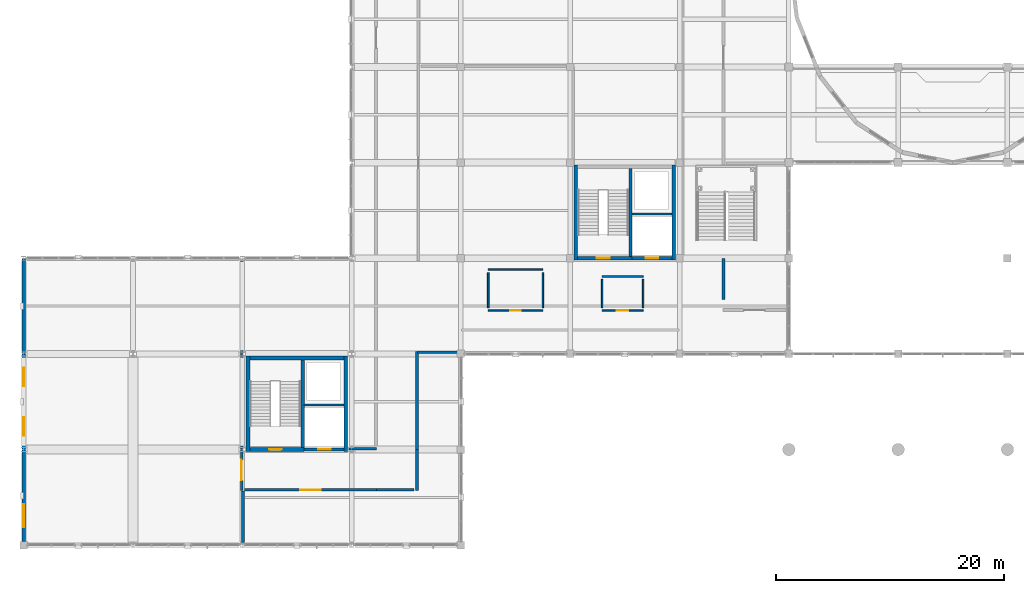
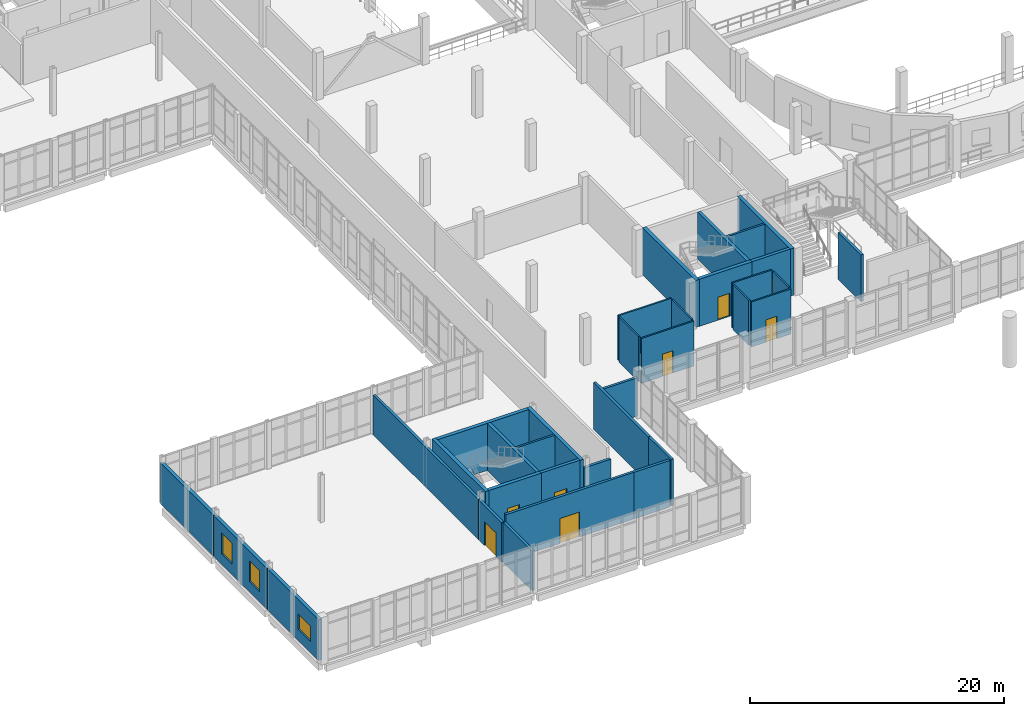
# One storey, part 87 of 102: 34 walls, 8 doors, 3 windows, 11 openings.
"""IFC4 building model written with IfcOpenShell, lengths in metres."""

from ifc_helpers import new_model, si_unit, direction, frame, frame_2d, origin, place, context, subcontext, project, spatial, rectangle, extrude, material, layer, layer_set, type_object, element, fill, save


model = new_model("IFC4")

# Units and contexts
model_context = context("Model", 3, precision=1e-05, world=origin(), true_north=direction((0.0, 1.0)))
body_context = subcontext(model_context, "Body", "Model", "MODEL_VIEW")
ifc_project = project(units=[si_unit("LENGTHUNIT", "METRE"), si_unit("AREAUNIT", "SQUARE_METRE"), si_unit("VOLUMEUNIT", "CUBIC_METRE"), si_unit("PLANEANGLEUNIT", "RADIAN"), si_unit("MASSUNIT", "GRAM", prefix="KILO")], contexts=[model_context])

# Site, building, storey
site_placement = place(None, origin())
site = spatial("IfcSite", under=ifc_project, at=site_placement, CompositionType="ELEMENT")
building_placement = place(site_placement, origin())
building = spatial("IfcBuilding", under=site, at=building_placement, Name="Lornevale Opera House", CompositionType="ELEMENT")
storey_placement = place(building_placement, frame((0.0, 0.0, 5.39990234375)))
storey = spatial("IfcBuildingStorey", under=building, at=storey_placement, Name="L02", CompositionType="ELEMENT", Elevation=5.39990234375)

# Wall, opening, door
ifc_material_1 = material(Name="Concrete 40 MPa (CSA A23.1 C-1)", Category="concrete")
ifc_layer_1 = layer(ifc_material_1, 0.320068359375)
ifc_layer_set_1 = layer_set([ifc_layer_1], Name="Concrete 40 MPa (CSA A23.1 C-1)")
wall_type_1 = type_object("IfcWallType", Name="Core Shear Wall 320", PredefinedType="SHEAR", material=ifc_layer_set_1)
wall_1_placement = place(storey_placement, frame((48.659912109375, 25.199951171875, 0.0), z_axis=(0.0, 0.0, 1.0), x_axis=(1.0, 0.0, 0.0)))
wall_1 = element("IfcWall", 1, at=wall_1_placement, inside=storey, type_object=wall_type_1, Name="South-West Foyer Core Core Shear Wall 320 WL-COR-0022", PredefinedType="SHEAR", context=body_context, shape_type="SweptSolid", body=[
    extrude(rectangle(XDim=4.780029296875, YDim=0.320068359375, at=frame_2d((2.39013671875, 0.0))), origin(), (0.0, 0.0, 1.0), 4.52001953125),
])
opening_1_placement = place(wall_1_placement, frame((1.68994140625, 0.0, 0.0)))
opening_1 = element("IfcOpeningElement", 2, at=opening_1_placement, cuts=wall_1, Name="Opening DR-T10", PredefinedType="OPENING", context=body_context, shape_type="SweptSolid", body=[
    extrude(rectangle(XDim=1.10009765625, YDim=2.199951171875, at=frame_2d((0.550048828125, 1.10009765625))), frame((0.0, 0.169921875, 0.0), z_axis=(0.0, -1.0, 0.0), x_axis=(1.0, 0.0, 0.0)), (0.0, 0.0, 1.0), 0.340087890625),
])
ifc_material_2 = material(Name="Painted Hollow Metal Door Steel", Category="steel")
ifc_layer_2 = layer(ifc_material_2, 2.199951171875)
ifc_layer_set_2 = layer_set([ifc_layer_2], Name="Painted Hollow Metal Door Steel")
door_type_1 = type_object("IfcDoorType", Name="Protected Exit Stair Door L 1100x2200", OperationType="NOTDEFINED", PredefinedType="DOOR", material=ifc_layer_set_2)
door_1_placement = place(opening_1_placement, origin())
door_1 = element("IfcDoor", 3, at=door_1_placement, inside=storey, type_object=door_type_1, Name="C1 Stair Door L02", OperationType="SINGLE_SWING_LEFT", OverallHeight=2.199951171875, OverallWidth=1.10009765625, PredefinedType="DOOR", context=body_context, shape_type="SweptSolid", body=[
    extrude(rectangle(XDim=1.10009765625, YDim=2.199951171875, at=frame_2d((0.550048828125, 1.10009765625))), frame((0.0, 0.02490234375, 0.0), z_axis=(0.0, -1.0, 0.0), x_axis=(1.0, 0.0, 0.0)), (0.0, 0.0, 1.0), 0.050048828125),
])
fill(opening_1, door_1)

# Walls
for number, where, z_axis, x_axis, name in (
    (4, (48.5, 33.39990234375, 0.0), (0.0, 0.0, 1.0), (0.0, -1.0, 0.0), "South-West Foyer Core Core Shear Wall 320 WL-COR-0025"),
    (5, (57.10009765625, 25.0400390625, 0.0), (0.0, 0.0, 1.0), (0.0, 1.0, 0.0), "South-West Foyer Core Core Shear Wall 320 WL-COR-0026"),
):
    element("IfcWall", number, at=place(storey_placement, frame(where, z_axis=z_axis, x_axis=x_axis)), inside=storey, type_object=wall_type_1, Name=name, PredefinedType="SHEAR", context=body_context, shape_type="SweptSolid", body=[
        extrude(rectangle(XDim=8.35986328125, YDim=0.320068359375, at=frame_2d((4.179931640625, 0.0))), origin(), (0.0, 0.0, 1.0), 4.52001953125),
    ])

# Wall, opening, door
wall_2_placement = place(storey_placement, frame((19.860107421875, 8.39990234375, 0.0), z_axis=(0.0, 0.0, 1.0), x_axis=(1.0, 0.0, 0.0)))
wall_2 = element("IfcWall", 6, at=wall_2_placement, inside=storey, type_object=wall_type_1, Name="Chamber Pavilion Core Core Shear Wall 320 WL-COR-0099", PredefinedType="SHEAR", context=body_context, shape_type="SweptSolid", body=[
    extrude(rectangle(XDim=4.77978515625, YDim=0.320068359375, at=frame_2d((2.389892578125, 0.0))), origin(), (0.0, 0.0, 1.0), 4.52001953125),
])
opening_2_placement = place(wall_2_placement, frame((1.68994140625, 0.0, 0.0)))
opening_2 = element("IfcOpeningElement", 7, at=opening_2_placement, cuts=wall_2, Name="Opening DR-T10", PredefinedType="OPENING", context=body_context, shape_type="SweptSolid", body=[
    extrude(rectangle(XDim=1.10009765625, YDim=2.199951171875, at=frame_2d((0.550048828125, 1.10009765625))), frame((0.0, 0.169921875, 0.0), z_axis=(0.0, -1.0, 0.0), x_axis=(1.0, 0.0, 0.0)), (0.0, 0.0, 1.0), 0.340087890625),
])
door_2_placement = place(opening_2_placement, origin())
door_2 = element("IfcDoor", 8, at=door_2_placement, inside=storey, type_object=door_type_1, Name="C3 Stair Door L02", OperationType="SINGLE_SWING_LEFT", OverallHeight=2.199951171875, OverallWidth=1.10009765625, PredefinedType="DOOR", context=body_context, shape_type="SweptSolid", body=[
    extrude(rectangle(XDim=1.10009765625, YDim=2.199951171875, at=frame_2d((0.550048828125, 1.10009765625))), frame((0.0, 0.02490234375, 0.0), z_axis=(0.0, -1.0, 0.0), x_axis=(1.0, 0.0, 0.0)), (0.0, 0.0, 1.0), 0.050048828125),
])
fill(opening_2, door_2)

# Walls
wall_3_placement = place(storey_placement, frame((28.139892578125, 16.43994140625, 0.0), z_axis=(0.0, 0.0, 1.0), x_axis=(-1.0, 0.0, 0.0)))
element("IfcWall", 9, at=wall_3_placement, inside=storey, type_object=wall_type_1, Name="Chamber Pavilion Core Core Shear Wall 320 WL-COR-0101", PredefinedType="SHEAR", context=body_context, shape_type="SweptSolid", body=[
    extrude(rectangle(XDim=8.27978515625, YDim=0.320068359375, at=frame_2d((4.139892578125, 0.0))), origin(), (0.0, 0.0, 1.0), 4.52001953125),
])
for number, where, z_axis, x_axis, name in (
    (10, (19.699951171875, 16.60009765625, 0.0), (0.0, 0.0, 1.0), (0.0, -1.0, 0.0), "Chamber Pavilion Core Core Shear Wall 320 WL-COR-0102"),
    (11, (28.300048828125, 8.239990234375, 0.0), (0.0, 0.0, 1.0), (0.0, 1.0, 0.0), "Chamber Pavilion Core Core Shear Wall 320 WL-COR-0103"),
):
    element("IfcWall", number, at=place(storey_placement, frame(where, z_axis=z_axis, x_axis=x_axis)), inside=storey, type_object=wall_type_1, Name=name, PredefinedType="SHEAR", context=body_context, shape_type="SweptSolid", body=[
        extrude(rectangle(XDim=8.360107421875, YDim=0.320068359375, at=frame_2d((4.18017578125, 0.0))), origin(), (0.0, 0.0, 1.0), 4.52001953125),
    ])

# Wall, opening, door
ifc_layer_3 = layer(ifc_material_1, 0.280029296875)
ifc_layer_set_3 = layer_set([ifc_layer_3], Name="Concrete 40 MPa (CSA A23.1 C-1)")
wall_type_2 = type_object("IfcWallType", Name="Elevator Shaft Wall 280", PredefinedType="SHEAR", material=ifc_layer_set_3)
wall_4_placement = place(storey_placement, frame((53.43994140625, 25.199951171875, 0.0), z_axis=(0.0, 0.0, 1.0), x_axis=(1.0, 0.0, 0.0)))
wall_4 = element("IfcWall", 12, at=wall_4_placement, inside=storey, type_object=wall_type_2, Name="South-West Foyer Core Elevator Shaft Wall 280 WL-COR-0023", PredefinedType="SHEAR", context=body_context, shape_type="SweptSolid", body=[
    extrude(rectangle(XDim=3.5, YDim=0.280029296875, at=frame_2d((1.75, 0.0))), origin(), (0.0, 0.0, 1.0), 4.52001953125),
])
opening_3_placement = place(wall_4_placement, frame((1.2099609375, 0.0, 0.0)))
opening_3 = element("IfcOpeningElement", 13, at=opening_3_placement, cuts=wall_4, Name="Opening DR-T25", PredefinedType="OPENING", context=body_context, shape_type="SweptSolid", body=[
    extrude(rectangle(XDim=1.10009765625, YDim=2.199951171875, at=frame_2d((0.550048828125, 1.10009765625))), frame((0.0, 0.14990234375, 0.0), z_axis=(0.0, -1.0, 0.0), x_axis=(1.0, 0.0, 0.0)), (0.0, 0.0, 1.0), 0.300048828125),
])
ifc_layer_4 = layer(ifc_material_2, 2.199951171875)
ifc_layer_set_4 = layer_set([ifc_layer_4], Name="Painted Hollow Metal Door Steel")
door_type_2 = type_object("IfcDoorType", Name="Passenger Lift Landing Door 1100x2200", OperationType="NOTDEFINED", PredefinedType="DOOR", material=ifc_layer_set_4)
door_3_placement = place(opening_3_placement, origin())
door_3 = element("IfcDoor", 14, at=door_3_placement, inside=storey, type_object=door_type_2, Name="L-P1 Landing Door L02", OperationType="SLIDING_TO_LEFT", OverallHeight=2.199951171875, OverallWidth=1.10009765625, PredefinedType="DOOR", context=body_context, shape_type="SweptSolid", body=[
    extrude(rectangle(XDim=1.10009765625, YDim=2.199951171875, at=frame_2d((0.550048828125, 1.10009765625))), frame((0.0, 0.02490234375, 0.0), z_axis=(0.0, -1.0, 0.0), x_axis=(1.0, 0.0, 0.0)), (0.0, 0.0, 1.0), 0.050048828125),
])
fill(opening_3, door_3)

# Wall
wall_5_placement = place(storey_placement, frame((53.300048828125, 25.360107421875, 0.0), z_axis=(0.0, 0.0, 1.0), x_axis=(0.0, 1.0, 0.0)))
element("IfcWall", 15, at=wall_5_placement, inside=storey, type_object=wall_type_2, Name="South-West Foyer Core Elevator Shaft Wall 280 WL-COR-0027", PredefinedType="SHEAR", context=body_context, shape_type="SweptSolid", body=[
    extrude(rectangle(XDim=7.719970703125, YDim=0.280029296875, at=frame_2d((3.85986328125, 0.0))), origin(), (0.0, 0.0, 1.0), 4.52001953125),
])

# Wall, opening, door
wall_6_placement = place(storey_placement, frame((24.639892578125, 8.39990234375, 0.0), z_axis=(0.0, 0.0, 1.0), x_axis=(1.0, 0.0, 0.0)))
wall_6 = element("IfcWall", 16, at=wall_6_placement, inside=storey, type_object=wall_type_2, Name="Chamber Pavilion Core Elevator Shaft Wall 280 WL-COR-0100", PredefinedType="SHEAR", context=body_context, shape_type="SweptSolid", body=[
    extrude(rectangle(XDim=3.5, YDim=0.280029296875, at=frame_2d((1.75, 0.0))), origin(), (0.0, 0.0, 1.0), 4.52001953125),
])
opening_4_placement = place(wall_6_placement, frame((1.2099609375, 0.0, 0.0)))
opening_4 = element("IfcOpeningElement", 17, at=opening_4_placement, cuts=wall_6, Name="Opening DR-T25", PredefinedType="OPENING", context=body_context, shape_type="SweptSolid", body=[
    extrude(rectangle(XDim=1.10009765625, YDim=2.199951171875, at=frame_2d((0.550048828125, 1.10009765625))), frame((0.0, 0.14990234375, 0.0), z_axis=(0.0, -1.0, 0.0), x_axis=(1.0, 0.0, 0.0)), (0.0, 0.0, 1.0), 0.300048828125),
])
door_4_placement = place(opening_4_placement, origin())
door_4 = element("IfcDoor", 18, at=door_4_placement, inside=storey, type_object=door_type_2, Name="L-P3 Landing Door L02", OperationType="SLIDING_TO_LEFT", OverallHeight=2.199951171875, OverallWidth=1.10009765625, PredefinedType="DOOR", context=body_context, shape_type="SweptSolid", body=[
    extrude(rectangle(XDim=1.10009765625, YDim=2.199951171875, at=frame_2d((0.550048828125, 1.10009765625))), frame((0.0, 0.02490234375, 0.0), z_axis=(0.0, -1.0, 0.0), x_axis=(1.0, 0.0, 0.0)), (0.0, 0.0, 1.0), 0.050048828125),
])
fill(opening_4, door_4)

# Wall
wall_7_placement = place(storey_placement, frame((24.5, 8.56005859375, 0.0), z_axis=(0.0, 0.0, 1.0), x_axis=(0.0, 1.0, 0.0)))
element("IfcWall", 19, at=wall_7_placement, inside=storey, type_object=wall_type_2, Name="Chamber Pavilion Core Elevator Shaft Wall 280 WL-COR-0104", PredefinedType="SHEAR", context=body_context, shape_type="SweptSolid", body=[
    extrude(rectangle(XDim=7.719970703125, YDim=0.280029296875, at=frame_2d((3.85986328125, 0.0))), origin(), (0.0, 0.0, 1.0), 4.52001953125),
])

# Wall, opening, window
ifc_material_3 = material(Name="Queenston Buff Limestone Ashlar Masonry (25 MPa)", Category="masonry")
ifc_layer_5 = layer(ifc_material_3, 0.31005859375)
ifc_layer_set_5 = layer_set([ifc_layer_5], Name="Queenston Buff Limestone Ashlar Masonry (25 MPa)")
wall_type_3 = type_object("IfcWallType", Name="Rehearsal Pavilion Limestone Wall 310", PredefinedType="SOLIDWALL", material=ifc_layer_set_5)
wall_8_placement = place(storey_placement, frame((0.0, 0.324951171875, 0.0), z_axis=(0.0, 0.0, 1.0), x_axis=(0.0, 1.0, 0.0)))
wall_8 = element("IfcWall", 20, at=wall_8_placement, inside=storey, type_object=wall_type_3, Name="Rehearsal Pavilion Limestone Wall 310 WL-EXT-0191", PredefinedType="SOLIDWALL", context=body_context, shape_type="SweptSolid", body=[
    extrude(rectangle(XDim=8.054931640625, YDim=0.31005859375, at=frame_2d((4.02734375, 0.0))), origin(), (0.0, 0.0, 1.0), 3.920166015625),
])
opening_5_placement = place(wall_8_placement, frame((1.2548828125, 0.0, 1.050048828125)))
opening_5 = element("IfcOpeningElement", 21, at=opening_5_placement, cuts=wall_8, Name="Opening WN-T11", PredefinedType="OPENING", context=body_context, shape_type="SweptSolid", body=[
    extrude(rectangle(XDim=2.0, YDim=1.5, at=frame_2d((1.0, 0.75))), frame((0.0, 0.1650390625, 0.0), z_axis=(0.0, -1.0, 0.0), x_axis=(1.0, 0.0, 0.0)), (0.0, 0.0, 1.0), 0.330078125),
])
ifc_material_4 = material(Name="Triple Low-E Insulated Glazing", Category="glass")
ifc_layer_6 = layer(ifc_material_4, 0.06005859375)
ifc_layer_set_6 = layer_set([ifc_layer_6], Name="Triple Low-E Insulated Glazing")
window_type_1 = type_object("IfcWindowType", Name="Workshop Operable Window 2000x1500", PartitioningType="NOTDEFINED", PredefinedType="WINDOW", material=ifc_layer_set_6)
window_1_placement = place(opening_5_placement, origin())
window_1 = element("IfcWindow", 22, at=window_1_placement, inside=storey, type_object=window_type_1, Name="Workshop Operable Window 2000x1500 WN-0036", OverallHeight=1.5, OverallWidth=2.0, PartitioningType="SINGLE_PANEL", PredefinedType="WINDOW", context=body_context, shape_type="SweptSolid", body=[
    extrude(rectangle(XDim=2.0, YDim=1.5, at=frame_2d((1.0, 0.75))), frame((0.0, 0.030029296875, 0.0), z_axis=(0.0, -1.0, 0.0), x_axis=(1.0, 0.0, 0.0)), (0.0, 0.0, 1.0), 0.06005859375),
])
fill(opening_5, window_1)

# Wall, openings, windows
wall_9_placement = place(storey_placement, frame((0.0, 8.419921875, 0.0), z_axis=(0.0, 0.0, 1.0), x_axis=(0.0, 1.0, 0.0)))
wall_9 = element("IfcWall", 23, at=wall_9_placement, inside=storey, type_object=wall_type_3, Name="Rehearsal Pavilion Limestone Wall 310 WL-EXT-0192", PredefinedType="SOLIDWALL", context=body_context, shape_type="SweptSolid", body=[
    extrude(rectangle(XDim=8.360107421875, YDim=0.31005859375, at=frame_2d((4.18017578125, 0.0))), origin(), (0.0, 0.0, 1.0), 3.920166015625),
])
opening_6_placement = place(wall_9_placement, frame((1.2060546875, 0.0, 0.989990234375)))
opening_6 = element("IfcOpeningElement", 24, at=opening_6_placement, cuts=wall_9, Name="Opening WN-T07", PredefinedType="OPENING", context=body_context, shape_type="SweptSolid", body=[
    extrude(rectangle(XDim=1.60009765625, YDim=2.0, at=frame_2d((0.800048828125, 1.0))), frame((0.0, 0.1650390625, 0.0), z_axis=(0.0, -1.0, 0.0), x_axis=(1.0, 0.0, 0.0)), (0.0, 0.0, 1.0), 0.330078125),
])
opening_7_placement = place(wall_9_placement, frame((5.553955078125, 0.0, 0.989990234375)))
opening_7 = element("IfcOpeningElement", 25, at=opening_7_placement, cuts=wall_9, Name="Opening WN-T07", PredefinedType="OPENING", context=body_context, shape_type="SweptSolid", body=[
    extrude(rectangle(XDim=1.60009765625, YDim=2.0, at=frame_2d((0.800048828125, 1.0))), frame((0.0, 0.1650390625, 0.0), z_axis=(0.0, -1.0, 0.0), x_axis=(1.0, 0.0, 0.0)), (0.0, 0.0, 1.0), 0.330078125),
])
ifc_layer_7 = layer(ifc_material_4, 0.06005859375)
ifc_layer_set_7 = layer_set([ifc_layer_7], Name="Triple Low-E Insulated Glazing")
window_type_2 = type_object("IfcWindowType", Name="Practice Studio Acoustic Window 1600x2000", PartitioningType="NOTDEFINED", PredefinedType="WINDOW", material=ifc_layer_set_7)
window_2_placement = place(opening_6_placement, origin())
window_2 = element("IfcWindow", 26, at=window_2_placement, inside=storey, type_object=window_type_2, Name="Practice Studio Acoustic Window 1600x2000 WN-0037", OverallHeight=2.0, OverallWidth=1.60009765625, PartitioningType="SINGLE_PANEL", PredefinedType="WINDOW", context=body_context, shape_type="SweptSolid", body=[
    extrude(rectangle(XDim=1.60009765625, YDim=2.0, at=frame_2d((0.800048828125, 1.0))), frame((0.0, 0.030029296875, 0.0), z_axis=(0.0, -1.0, 0.0), x_axis=(1.0, 0.0, 0.0)), (0.0, 0.0, 1.0), 0.06005859375),
])
fill(opening_6, window_2)
window_3_placement = place(opening_7_placement, origin())
window_3 = element("IfcWindow", 27, at=window_3_placement, inside=storey, type_object=window_type_2, Name="Practice Studio Acoustic Window 1600x2000 WN-0038", OverallHeight=2.0, OverallWidth=1.60009765625, PartitioningType="SINGLE_PANEL", PredefinedType="WINDOW", context=body_context, shape_type="SweptSolid", body=[
    extrude(rectangle(XDim=1.60009765625, YDim=2.0, at=frame_2d((0.800048828125, 1.0))), frame((0.0, 0.030029296875, 0.0), z_axis=(0.0, -1.0, 0.0), x_axis=(1.0, 0.0, 0.0)), (0.0, 0.0, 1.0), 0.06005859375),
])
fill(opening_7, window_3)

# Wall
wall_10_placement = place(storey_placement, frame((0.0, 16.820068359375, 0.0), z_axis=(0.0, 0.0, 1.0), x_axis=(0.0, 1.0, 0.0)))
element("IfcWall", 28, at=wall_10_placement, inside=storey, type_object=wall_type_3, Name="Rehearsal Pavilion Limestone Wall 310 WL-EXT-0193", PredefinedType="SOLIDWALL", context=body_context, shape_type="SweptSolid", body=[
    extrude(rectangle(XDim=8.35986328125, YDim=0.31005859375, at=frame_2d((4.179931640625, 0.0))), origin(), (0.0, 0.0, 1.0), 3.920166015625),
])

# Wall, opening, door
ifc_material_5 = material(Name="Acoustic Mineral-Core Gypsum Partition", Category="gypsum")
ifc_layer_8 = layer(ifc_material_5, 0.22998046875)
ifc_layer_set_8 = layer_set([ifc_layer_8], Name="Acoustic Mineral-Core Gypsum Partition")
wall_type_4 = type_object("IfcWallType", Name="Rehearsal Studio Acoustic Wall 230", PredefinedType="SOLIDWALL", material=ifc_layer_set_8)
wall_11_placement = place(storey_placement, frame((19.139892578125, 4.800048828125, 0.0), z_axis=(0.0, 0.0, 1.0), x_axis=(0.0, 1.0, 0.0)))
wall_11 = element("IfcWall", 29, at=wall_11_placement, inside=storey, type_object=wall_type_4, Name="L02 Partition WL-INT-0751", PredefinedType="SOLIDWALL", context=body_context, shape_type="SweptSolid", body=[
    extrude(rectangle(XDim=3.599853515625, YDim=0.22998046875, at=frame_2d((1.7998046875, 0.0))), origin(), (0.0, 0.0, 1.0), 3.820068359375),
])
opening_8_placement = place(wall_11_placement, frame((0.89990234375, 0.0, 0.0)))
opening_8 = element("IfcOpeningElement", 30, at=opening_8_placement, cuts=wall_11, Name="Opening DR-T15", PredefinedType="OPENING", context=body_context, shape_type="SweptSolid", body=[
    extrude(rectangle(XDim=1.800048828125, YDim=2.300048828125, at=frame_2d((0.89990234375, 1.14990234375))), frame((0.0, 0.125, 0.0), z_axis=(0.0, -1.0, 0.0), x_axis=(1.0, 0.0, 0.0)), (0.0, 0.0, 1.0), 0.25),
])
ifc_material_6 = material(Name="White Oak Acoustic Panelling", Category="wood")
ifc_layer_9 = layer(ifc_material_6, 2.300048828125)
ifc_layer_set_9 = layer_set([ifc_layer_9], Name="White Oak Acoustic Panelling")
door_type_3 = type_object("IfcDoorType", Name="Chamber Hall Acoustic Pair 1800x2300", OperationType="NOTDEFINED", PredefinedType="DOOR", material=ifc_layer_set_9)
door_5_placement = place(opening_8_placement, origin())
door_5 = element("IfcDoor", 31, at=door_5_placement, inside=storey, type_object=door_type_3, Name="Chamber Hall Balcony Gallery Door", OperationType="DOUBLE_SWING_LEFT", OverallHeight=2.300048828125, OverallWidth=1.800048828125, PredefinedType="DOOR", context=body_context, shape_type="SweptSolid", body=[
    extrude(rectangle(XDim=1.800048828125, YDim=2.300048828125, at=frame_2d((0.89990234375, 1.14990234375))), frame((0.0, 0.02490234375, 0.0), z_axis=(0.0, -1.0, 0.0), x_axis=(1.0, 0.0, 0.0)), (0.0, 0.0, 1.0), 0.050048828125),
])
fill(opening_8, door_5)

# Walls
wall_12_placement = place(storey_placement, frame((28.550048828125, 8.4599609375, 0.0), z_axis=(0.0, 0.0, 1.0), x_axis=(1.0, 0.0, 0.0)))
element("IfcWall", 32, at=wall_12_placement, inside=storey, type_object=wall_type_4, Name="L02 Partition WL-INT-0763", PredefinedType="SOLIDWALL", context=body_context, shape_type="SweptSolid", body=[
    extrude(rectangle(XDim=2.449951171875, YDim=0.22998046875, at=frame_2d((1.22509765625, 0.0))), origin(), (0.0, 0.0, 1.0), 3.570068359375),
])
wall_13_placement = place(storey_placement, frame((34.60009765625, 16.93994140625, 0.0), z_axis=(0.0, 0.0, 1.0), x_axis=(1.0, 0.0, 0.0)))
element("IfcWall", 33, at=wall_13_placement, inside=storey, type_object=wall_type_4, Name="L02 Partition WL-INT-0766", PredefinedType="SOLIDWALL", context=body_context, shape_type="SweptSolid", body=[
    extrude(rectangle(XDim=3.708984375, YDim=0.22998046875, at=frame_2d((1.8544921875, 0.0))), origin(), (0.0, 0.0, 1.0), 3.670166015625),
])
wall_14_placement = place(storey_placement, frame((34.5400390625, 8.39990234375, 0.0), z_axis=(0.0, 0.0, 1.0), x_axis=(0.0, 1.0, 0.0)))
element("IfcWall", 34, at=wall_14_placement, inside=storey, type_object=wall_type_4, Name="L02 Partition WL-INT-0767", PredefinedType="SOLIDWALL", context=body_context, shape_type="SweptSolid", body=[
    extrude(rectangle(XDim=8.60009765625, YDim=0.22998046875, at=frame_2d((4.300048828125, 0.0))), origin(), (0.0, 0.0, 1.0), 4.47998046875),
])
wall_15_placement = place(storey_placement, frame((34.5400390625, 4.800048828125, 0.0), z_axis=(0.0, 0.0, 1.0), x_axis=(0.0, 1.0, 0.0)))
element("IfcWall", 35, at=wall_15_placement, inside=storey, type_object=wall_type_4, Name="L02 Partition WL-INT-0768", PredefinedType="SOLIDWALL", context=body_context, shape_type="SweptSolid", body=[
    extrude(rectangle(XDim=3.599853515625, YDim=0.22998046875, at=frame_2d((1.7998046875, 0.0))), origin(), (0.0, 0.0, 1.0), 4.47998046875),
])
wall_16_placement = place(storey_placement, frame((31.0, 4.860107421875, 0.0), z_axis=(0.0, 0.0, 1.0), x_axis=(1.0, 0.0, 0.0)))
element("IfcWall", 36, at=wall_16_placement, inside=storey, type_object=wall_type_4, Name="L02 Partition WL-INT-0769", PredefinedType="SOLIDWALL", context=body_context, shape_type="SweptSolid", body=[
    extrude(rectangle(XDim=3.2900390625, YDim=0.22998046875, at=frame_2d((1.64501953125, 0.0))), origin(), (0.0, 0.0, 1.0), 4.47998046875),
])

# Wall, opening, door
wall_17_placement = place(storey_placement, frame((19.389892578125, 4.860107421875, 0.0), z_axis=(0.0, 0.0, 1.0), x_axis=(1.0, 0.0, 0.0)))
wall_17 = element("IfcWall", 37, at=wall_17_placement, inside=storey, type_object=wall_type_4, Name="L02 Partition WL-INT-0770", PredefinedType="SOLIDWALL", context=body_context, shape_type="SweptSolid", body=[
    extrude(rectangle(XDim=11.610107421875, YDim=0.22998046875, at=frame_2d((5.80517578125, 0.0))), origin(), (0.0, 0.0, 1.0), 4.47998046875),
])
opening_9_placement = place(wall_17_placement, frame((4.905029296875, 0.0, 0.0)))
opening_9 = element("IfcOpeningElement", 38, at=opening_9_placement, cuts=wall_17, Name="Opening DR-T18", PredefinedType="OPENING", context=body_context, shape_type="SweptSolid", body=[
    extrude(rectangle(XDim=1.800048828125, YDim=2.39990234375, at=frame_2d((0.89990234375, 1.199951171875))), frame((0.0, 0.125, 0.0), z_axis=(0.0, -1.0, 0.0), x_axis=(1.0, 0.0, 0.0)), (0.0, 0.0, 1.0), 0.25),
])
ifc_layer_10 = layer(ifc_material_6, 2.39990234375)
ifc_layer_set_10 = layer_set([ifc_layer_10], Name="White Oak Acoustic Panelling")
door_type_4 = type_object("IfcDoorType", Name="Rehearsal Studio Pair 1800x2400", OperationType="NOTDEFINED", PredefinedType="DOOR", material=ifc_layer_set_10)
door_6_placement = place(opening_9_placement, origin())
door_6 = element("IfcDoor", 39, at=door_6_placement, inside=storey, type_object=door_type_4, Name="Artist Ensemble Rehearsal Lounge Door", OperationType="DOUBLE_SWING_LEFT", OverallHeight=2.39990234375, OverallWidth=1.800048828125, PredefinedType="DOOR", context=body_context, shape_type="SweptSolid", body=[
    extrude(rectangle(XDim=1.800048828125, YDim=2.39990234375, at=frame_2d((0.89990234375, 1.199951171875))), frame((0.0, 0.02490234375, 0.0), z_axis=(0.0, -1.0, 0.0), x_axis=(1.0, 0.0, 0.0)), (0.0, 0.0, 1.0), 0.050048828125),
])
fill(opening_9, door_6)

# Walls
wall_18_placement = place(storey_placement, frame((61.4599609375, 21.60009765625, 0.0), z_axis=(0.0, 0.0, 1.0), x_axis=(0.0, 1.0, 0.0)))
element("IfcWall", 40, at=wall_18_placement, inside=storey, type_object=wall_type_4, Name="L02 Partition WL-INT-0771", PredefinedType="SOLIDWALL", context=body_context, shape_type="SweptSolid", body=[
    extrude(rectangle(XDim=3.599853515625, YDim=0.22998046875, at=frame_2d((1.7998046875, 0.0))), origin(), (0.0, 0.0, 1.0), 4.47998046875),
])
wall_19_placement = place(storey_placement, frame((19.139892578125, 8.4599609375, 0.0), z_axis=(0.0, 0.0, 1.0), x_axis=(0.0, 1.0, 0.0)))
element("IfcWall", 41, at=wall_19_placement, inside=storey, type_object=wall_type_4, Name="L02 Partition WL-INT-0801", PredefinedType="SOLIDWALL", context=body_context, shape_type="SweptSolid", body=[
    extrude(rectangle(XDim=16.52001953125, YDim=0.22998046875, at=frame_2d((8.260009765625, 0.0))), origin(), (0.0, 0.0, 1.0), 3.820068359375),
])
wall_20_placement = place(storey_placement, frame((19.260009765625, 0.219970703125, 0.0), z_axis=(0.0, 0.0, 1.0), x_axis=(0.0, 1.0, 0.0)))
element("IfcWall", 42, at=wall_20_placement, inside=storey, type_object=wall_type_4, Name="L02 Partition WL-INT-0802", PredefinedType="SOLIDWALL", context=body_context, shape_type="SweptSolid", body=[
    extrude(rectangle(XDim=4.52001953125, YDim=0.22998046875, at=frame_2d((2.260009765625, 0.0))), origin(), (0.0, 0.0, 1.0), 3.820068359375),
])
ifc_material_7 = material(Name="Moisture-Resistant Ceramic & Gypsum Partition", Category="gypsum")
ifc_layer_11 = layer(ifc_material_7, 0.179931640625)
ifc_layer_set_11 = layer_set([ifc_layer_11], Name="Moisture-Resistant Ceramic & Gypsum Partition")
wall_type_5 = type_object("IfcWallType", Name="Riser Shaft Wall 180", PredefinedType="SOLIDWALL", material=ifc_layer_set_11)
for number, where, z_axis, x_axis, name in (
    (43, (53.43994140625, 29.10009765625, 0.0), (0.0, 0.0, 1.0), (1.0, 0.0, 0.0), "South-West Foyer Core Riser Shaft Wall 180 WL-COR-0028"),
    (44, (24.639892578125, 12.300048828125, 0.0), (0.0, 0.0, 1.0), (1.0, 0.0, 0.0), "Chamber Pavilion Core Riser Shaft Wall 180 WL-COR-0105"),
):
    element("IfcWall", number, at=place(storey_placement, frame(where, z_axis=z_axis, x_axis=x_axis)), inside=storey, type_object=wall_type_5, Name=name, PredefinedType="SOLIDWALL", context=body_context, shape_type="SweptSolid", body=[
        extrude(rectangle(XDim=3.5, YDim=0.179931640625, at=frame_2d((1.75, 0.0))), origin(), (0.0, 0.0, 1.0), 4.52001953125),
    ])

# Wall, opening, door
ifc_layer_12 = layer(ifc_material_7, 0.139892578125)
ifc_layer_set_12 = layer_set([ifc_layer_12], Name="Moisture-Resistant Ceramic & Gypsum Partition")
wall_type_6 = type_object("IfcWallType", Name="Washroom Moisture Partition 140", PredefinedType="PARTITIONING", material=ifc_layer_set_12)
wall_21_placement = place(storey_placement, frame((40.800048828125, 20.60009765625, 0.0), z_axis=(0.0, 0.0, 1.0), x_axis=(1.0, 0.0, 0.0)))
wall_21 = element("IfcWall", 45, at=wall_21_placement, inside=storey, type_object=wall_type_6, Name="Parterre Foyer Washroom West S Wall WL-INT-0464", PredefinedType="PARTITIONING", context=body_context, shape_type="SweptSolid", body=[
    extrude(rectangle(XDim=4.800048828125, YDim=0.139892578125, at=frame_2d((2.39990234375, 0.0))), origin(), (0.0, 0.0, 1.0), 4.320068359375),
])
opening_10_placement = place(wall_21_placement, frame((1.925048828125, 0.0, 0.0)))
opening_10 = element("IfcOpeningElement", 46, at=opening_10_placement, cuts=wall_21, Name="Opening DR-T22", PredefinedType="OPENING", context=body_context, shape_type="SweptSolid", body=[
    extrude(rectangle(XDim=0.949951171875, YDim=2.14990234375, at=frame_2d((0.47509765625, 1.074951171875))), frame((0.0, 0.079833984375, 0.0), z_axis=(0.0, -1.0, 0.0), x_axis=(1.0, 0.0, 0.0)), (0.0, 0.0, 1.0), 0.159912109375),
])
ifc_layer_13 = layer(ifc_material_6, 2.14990234375)
ifc_layer_set_13 = layer_set([ifc_layer_13], Name="White Oak Acoustic Panelling")
door_type_5 = type_object("IfcDoorType", Name="Washroom Door R 950x2150", OperationType="NOTDEFINED", PredefinedType="DOOR", material=ifc_layer_set_13)
door_7_placement = place(opening_10_placement, origin())
door_7 = element("IfcDoor", 47, at=door_7_placement, inside=storey, type_object=door_type_5, Name="Parterre Foyer Washroom West Door", OperationType="SINGLE_SWING_RIGHT", OverallHeight=2.14990234375, OverallWidth=0.949951171875, PredefinedType="DOOR", context=body_context, shape_type="SweptSolid", body=[
    extrude(rectangle(XDim=0.949951171875, YDim=2.14990234375, at=frame_2d((0.47509765625, 1.074951171875))), frame((0.0, 0.02490234375, 0.0), z_axis=(0.0, -1.0, 0.0), x_axis=(1.0, 0.0, 0.0)), (0.0, 0.0, 1.0), 0.050048828125),
])
fill(opening_10, door_7)

# Walls
wall_22_placement = place(storey_placement, frame((40.800048828125, 24.199951171875, 0.0), z_axis=(0.0, 0.0, 1.0), x_axis=(1.0, 0.0, 0.0)))
element("IfcWall", 48, at=wall_22_placement, inside=storey, type_object=wall_type_6, Name="Parterre Foyer Washroom West N Wall WL-INT-0465", PredefinedType="PARTITIONING", context=body_context, shape_type="SweptSolid", body=[
    extrude(rectangle(XDim=4.800048828125, YDim=0.139892578125, at=frame_2d((2.39990234375, 0.0))), origin(), (0.0, 0.0, 1.0), 4.320068359375),
])
for number, where, z_axis, x_axis, name in (
    (49, (40.800048828125, 20.85009765625, 0.0), (0.0, 0.0, 1.0), (0.0, 1.0, 0.0), "Parterre Foyer Washroom West W Wall WL-INT-0466"),
    (50, (45.60009765625, 20.85009765625, 0.0), (0.0, 0.0, 1.0), (0.0, 1.0, 0.0), "Parterre Foyer Washroom West E Wall WL-INT-0467"),
):
    element("IfcWall", number, at=place(storey_placement, frame(where, z_axis=z_axis, x_axis=x_axis)), inside=storey, type_object=wall_type_6, Name=name, PredefinedType="PARTITIONING", context=body_context, shape_type="SweptSolid", body=[
        extrude(rectangle(XDim=3.099853515625, YDim=0.139892578125, at=frame_2d((1.5498046875, 0.0))), origin(), (0.0, 0.0, 1.0), 4.320068359375),
    ])

# Wall, opening, door
wall_23_placement = place(storey_placement, frame((50.800048828125, 20.60009765625, 0.0), z_axis=(0.0, 0.0, 1.0), x_axis=(1.0, 0.0, 0.0)))
wall_23 = element("IfcWall", 51, at=wall_23_placement, inside=storey, type_object=wall_type_6, Name="Parterre Accessible WC S Wall WL-INT-0472", PredefinedType="PARTITIONING", context=body_context, shape_type="SweptSolid", body=[
    extrude(rectangle(XDim=3.599853515625, YDim=0.139892578125, at=frame_2d((1.7998046875, 0.0))), origin(), (0.0, 0.0, 1.0), 4.320068359375),
])
opening_11_placement = place(wall_23_placement, frame((1.300048828125, 0.0, 0.0)))
opening_11 = element("IfcOpeningElement", 52, at=opening_11_placement, cuts=wall_23, Name="Opening DR-T23", PredefinedType="OPENING", context=body_context, shape_type="SweptSolid", body=[
    extrude(rectangle(XDim=1.0, YDim=2.14990234375, at=frame_2d((0.5, 1.074951171875))), frame((0.0, 0.079833984375, 0.0), z_axis=(0.0, -1.0, 0.0), x_axis=(1.0, 0.0, 0.0)), (0.0, 0.0, 1.0), 0.159912109375),
])
ifc_layer_14 = layer(ifc_material_6, 2.14990234375)
ifc_layer_set_14 = layer_set([ifc_layer_14], Name="White Oak Acoustic Panelling")
door_type_6 = type_object("IfcDoorType", Name="Accessible WC Door L 1000x2150", OperationType="NOTDEFINED", PredefinedType="DOOR", material=ifc_layer_set_14)
door_8_placement = place(opening_11_placement, origin())
door_8 = element("IfcDoor", 53, at=door_8_placement, inside=storey, type_object=door_type_6, Name="Parterre Accessible WC Door", OperationType="SINGLE_SWING_LEFT", OverallHeight=2.14990234375, OverallWidth=1.0, PredefinedType="DOOR", context=body_context, shape_type="SweptSolid", body=[
    extrude(rectangle(XDim=1.0, YDim=2.14990234375, at=frame_2d((0.5, 1.074951171875))), frame((0.0, 0.02490234375, 0.0), z_axis=(0.0, -1.0, 0.0), x_axis=(1.0, 0.0, 0.0)), (0.0, 0.0, 1.0), 0.050048828125),
])
fill(opening_11, door_8)

# Walls
wall_24_placement = place(storey_placement, frame((50.800048828125, 23.60009765625, 0.0), z_axis=(0.0, 0.0, 1.0), x_axis=(1.0, 0.0, 0.0)))
element("IfcWall", 54, at=wall_24_placement, inside=storey, type_object=wall_type_6, Name="Parterre Accessible WC N Wall WL-INT-0473", PredefinedType="PARTITIONING", context=body_context, shape_type="SweptSolid", body=[
    extrude(rectangle(XDim=3.599853515625, YDim=0.139892578125, at=frame_2d((1.7998046875, 0.0))), origin(), (0.0, 0.0, 1.0), 4.320068359375),
])
for number, where, z_axis, x_axis, name in (
    (55, (50.800048828125, 20.85009765625, 0.0), (0.0, 0.0, 1.0), (0.0, 1.0, 0.0), "Parterre Accessible WC W Wall WL-INT-0474"),
    (56, (54.39990234375, 20.85009765625, 0.0), (0.0, 0.0, 1.0), (0.0, 1.0, 0.0), "Parterre Accessible WC E Wall WL-INT-0475"),
):
    element("IfcWall", number, at=place(storey_placement, frame(where, z_axis=z_axis, x_axis=x_axis)), inside=storey, type_object=wall_type_6, Name=name, PredefinedType="PARTITIONING", context=body_context, shape_type="SweptSolid", body=[
        extrude(rectangle(XDim=2.5, YDim=0.139892578125, at=frame_2d((1.25, 0.0))), origin(), (0.0, 0.0, 1.0), 4.320068359375),
    ])

save(model, "model.ifc")
